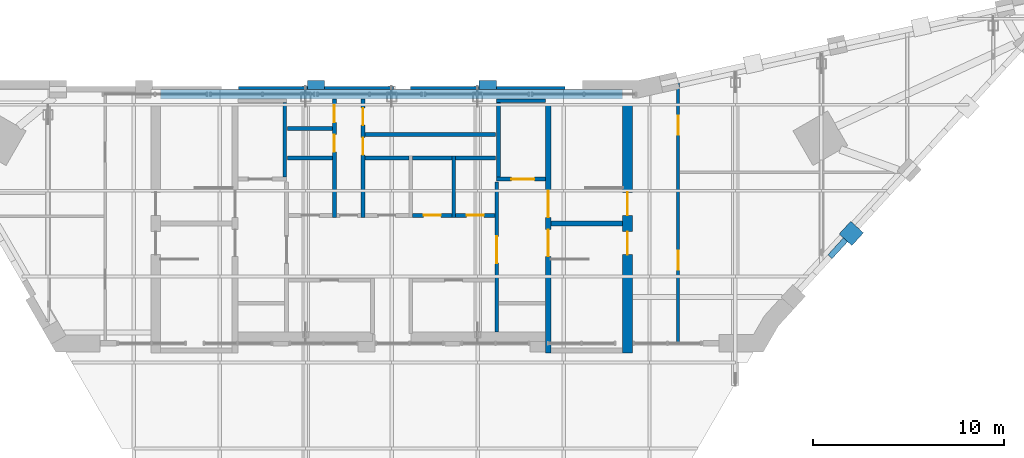
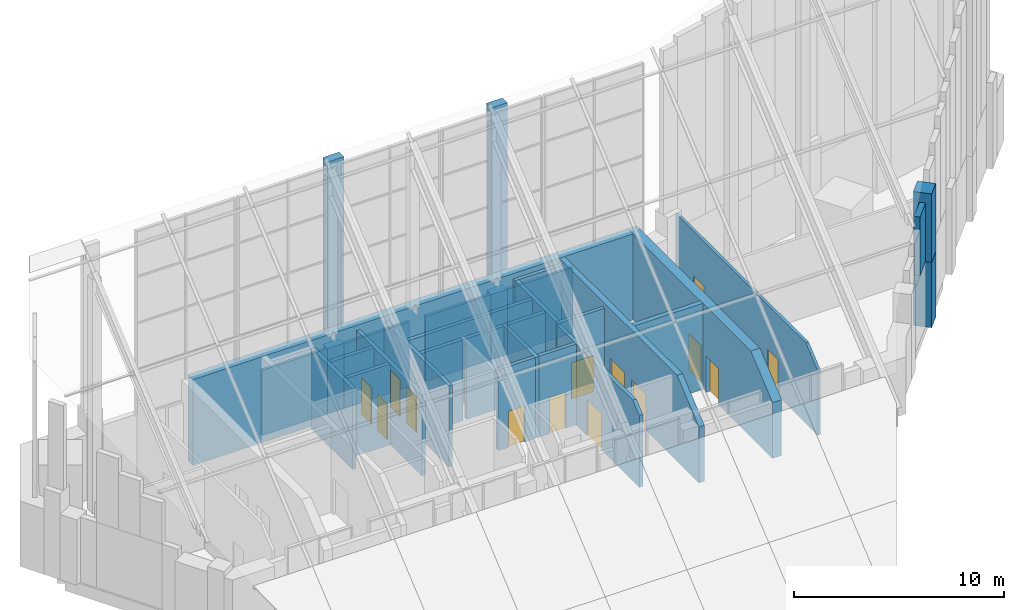
# One storey, part 13 of 19: 32 walls, 14 doors, 14 openings.
"""IFC4 building model written with IfcOpenShell, lengths in metres."""

import ifcopenshell
import ifcopenshell.guid

model = None  # the IFC model being written
_history = None  # IfcOwnerHistory: only IFC2X3 demands one
_inside = {}  # id of a spatial element -> (the spatial element, [elements in it])
_under = {}  # id of a project, library or spatial element -> (it, [spatial elements below it])
_declared = {}  # id of a project -> (the project, [libraries it declares])
_typed = {}  # id of a type object -> (the type object, [elements of that type])
_made_of = {}  # id of a material, layer set ... -> (it, [elements and type objects made of it])


def new_model(schema):
    """Start an empty IFC model of exactly this schema.

    Asked for "IFC4X3", IfcOpenShell would pick the latest addendum, in which some entities
    have other attributes; the version numbers below select the first issue.
    IFC2X3 requires an IfcOwnerHistory on every rooted entity: one is made here for all.
    """
    global model, _history
    if schema == "IFC4X3":
        model = ifcopenshell.file(schema_version=(4, 3, 0, 0))
    else:
        model = ifcopenshell.file(schema=schema)
    _inside.clear()
    _under.clear()
    _declared.clear()
    _typed.clear()
    _made_of.clear()
    _history = None
    if model.schema == "IFC2X3":
        org = make("IfcOrganization", Name="unknown")
        user = make(
            "IfcPersonAndOrganization",
            ThePerson=make("IfcPerson", FamilyName="unknown"),
            TheOrganization=org,
        )
        app = make(
            "IfcApplication",
            ApplicationDeveloper=org,
            Version="unknown",
            ApplicationFullName="unknown",
            ApplicationIdentifier="unknown",
        )
        _history = make(
            "IfcOwnerHistory",
            OwningUser=user,
            OwningApplication=app,
            ChangeAction="ADDED",
            CreationDate=0,
        )
    return model


def make(cls, **values):
    """One entity of the class cls with the attributes given. An attribute that is None is left unset."""
    return model.create_entity(
        cls, **{name: value for name, value in values.items() if value is not None}
    )


def rooted(cls, **values):
    """An entity with a GlobalId (a new one), such as an element, a storey or a relation."""
    return make(cls, GlobalId=ifcopenshell.guid.new(), OwnerHistory=_history, **values)


def si_unit(unit_type, name, prefix=None):
    """IfcSIUnit, for example si_unit("LENGTHUNIT", "METRE", prefix="MILLI")."""
    return make("IfcSIUnit", UnitType=unit_type, Prefix=prefix, Name=name)


def assignment(units):
    """IfcUnitAssignment: the units of a project."""
    return None if units is None else make("IfcUnitAssignment", Units=units)


def point(xyz):
    """IfcCartesianPoint."""
    return None if xyz is None else make("IfcCartesianPoint", Coordinates=xyz)


def direction(xyz):
    """IfcDirection."""
    return None if xyz is None else make("IfcDirection", DirectionRatios=xyz)


def frame(location, z_axis=None, x_axis=None):
    """IfcAxis2Placement3D, a coordinate frame: its origin and axes. An axis left out is left unset."""
    return make(
        "IfcAxis2Placement3D",
        Location=point(location),
        Axis=direction(z_axis),
        RefDirection=direction(x_axis),
    )


def frame_2d(location, x_axis=None):
    """IfcAxis2Placement2D, a coordinate frame in the plane: its origin and x axis."""
    return make(
        "IfcAxis2Placement2D", Location=point(location), RefDirection=direction(x_axis)
    )


def origin():
    """The frame at (0, 0, 0) with its axes left unset."""
    return frame((0.0, 0.0, 0.0))


def place(relative_to, where):
    """IfcLocalPlacement: puts the frame where relative to a parent placement (None: the world)."""
    return make(
        "IfcLocalPlacement", PlacementRelTo=relative_to, RelativePlacement=where
    )


def context(
    kind, dimensions, precision=None, world=None, true_north=None, identifier=None
):
    """IfcGeometricRepresentationContext, for example the 3D "Model" context."""
    return make(
        "IfcGeometricRepresentationContext",
        ContextIdentifier=identifier,
        ContextType=kind,
        CoordinateSpaceDimension=dimensions,
        Precision=precision,
        WorldCoordinateSystem=world,
        TrueNorth=true_north,
    )


def subcontext(parent, identifier, kind, view, scale=None):
    """IfcGeometricRepresentationSubContext, for example "Body" below "Model"."""
    return make(
        "IfcGeometricRepresentationSubContext",
        ContextIdentifier=identifier,
        ContextType=kind,
        ParentContext=parent,
        TargetScale=scale,
        TargetView=view,
    )


def project(units=None, contexts=None):
    """IfcProject with its units and contexts."""
    return rooted(
        "IfcProject",
        Name="project",
        RepresentationContexts=contexts,
        UnitsInContext=assignment(units),
    )


def spatial(cls, under=None, at=None, **own):
    """A site, building, storey or space (cls), placed at a placement, below another one or the project."""
    s = rooted(cls, ObjectPlacement=at, **own)
    if under is not None:
        _under.setdefault(under.id(), (under, []))[1].append(s)
    return s


def polyline(points):
    """IfcPolyline through the points."""
    return make("IfcPolyline", Points=[point(p) for p in points])


def profile(cls, at=None, kind="AREA", **sizes):
    """A parametric profile (cls). Its sizes go by their IFC names, for example OverallWidth=200.0."""
    return make(cls, ProfileType=kind, Position=at, **sizes)


def rectangle(**sizes):
    """IfcRectangleProfileDef."""
    return profile("IfcRectangleProfileDef", **sizes)


def outline(outer, holes=None, kind="AREA"):
    """IfcArbitraryClosedProfileDef: a profile drawn as a closed curve; with holes, ...WithVoids."""
    if holes is None:
        return make("IfcArbitraryClosedProfileDef", ProfileType=kind, OuterCurve=outer)
    return make(
        "IfcArbitraryProfileDefWithVoids",
        ProfileType=kind,
        OuterCurve=outer,
        InnerCurves=holes,
    )


def extrude(swept, where, along, depth):
    """IfcExtrudedAreaSolid: the profile swept, set in the frame where, extruded along a direction by depth."""
    return make(
        "IfcExtrudedAreaSolid",
        SweptArea=swept,
        Position=where,
        ExtrudedDirection=direction(along),
        Depth=depth,
    )


def shape(context_of_items, identifier, shape_type, items):
    """IfcShapeRepresentation: the items that make up one representation, for example the "Body"."""
    return make(
        "IfcShapeRepresentation",
        ContextOfItems=context_of_items,
        RepresentationIdentifier=identifier,
        RepresentationType=shape_type,
        Items=items,
    )


def material(Name=None, Category=None):
    """IfcMaterial."""
    return make("IfcMaterial", Name=Name, Category=Category)


def layer(
    of_material, thickness, ventilated=None, Name=None, Category=None, Priority=None
):
    """IfcMaterialLayer: one layer of a wall or slab, of a material (None: an air gap)."""
    return make(
        "IfcMaterialLayer",
        Material=of_material,
        LayerThickness=thickness,
        IsVentilated=ventilated,
        Name=Name,
        Category=Category,
        Priority=Priority,
    )


def layer_set(layers, Name=None):
    """IfcMaterialLayerSet."""
    return make("IfcMaterialLayerSet", MaterialLayers=layers, LayerSetName=Name)


def made_of(thing, what):
    """Note that an element or type object is made of a material, layer set ...; save() writes the relation."""
    if what is not None:
        _made_of.setdefault(what.id(), (what, []))[1].append(thing)
    return thing


def type_object(cls, material=None, **own):
    """A type object (cls), such as IfcWallType, which elements share."""
    return made_of(rooted(cls, **own), material)


def element(
    cls,
    number,
    at=None,
    inside=None,
    cuts=None,
    type_object=None,
    material=None,
    context=None,
    identifier="Body",
    shape_type=None,
    held_by="IfcProductDefinitionShape",
    body=None,
    shapes=None,
    **own,
):
    """One element of the class cls, such as IfcWall. Its Tag is "e" and its number.

    at: its placement. inside: the storey or other place that contains it. cuts: it is an
    opening in that element (IfcRelVoidsElement). A single representation is given by context,
    identifier, shape_type and body (its items); several are given by shapes. held_by: the class
    of the entity that holds the representations. save() writes the other relations.
    """
    e = rooted(cls, Tag="e%d" % number, ObjectPlacement=at, **own)
    if body is not None:
        shapes = [shape(context, identifier, shape_type, body)]
    if shapes is not None:
        e.Representation = make(held_by, Representations=shapes)
    if inside is not None:
        _inside.setdefault(inside.id(), (inside, []))[1].append(e)
    if cuts is not None:
        rooted(
            "IfcRelVoidsElement", RelatingBuildingElement=cuts, RelatedOpeningElement=e
        )
    if type_object is not None:
        _typed.setdefault(type_object.id(), (type_object, []))[1].append(e)
    return made_of(e, material)


def fill(opening, filler):
    """IfcRelFillsElement: the door or window that sits in an opening."""
    return rooted(
        "IfcRelFillsElement",
        RelatingOpeningElement=opening,
        RelatedBuildingElement=filler,
    )


def aggregate(whole, parts):
    """IfcRelAggregates: a whole, such as a stair, and the parts it consists of."""
    return rooted("IfcRelAggregates", RelatingObject=whole, RelatedObjects=parts)


def save(model, path):
    """Write the relations noted so far, then the file.

    IfcRelAggregates (storeys below a building ...), IfcRelContainedInSpatialStructure (elements
    in a storey), IfcRelDefinesByType, IfcRelAssociatesMaterial and IfcRelDeclares: one each for
    every whole, place, type object, material and project.
    """
    for whole, parts in _under.values():
        aggregate(whole, parts)
    for where, things in _inside.values():
        rooted(
            "IfcRelContainedInSpatialStructure",
            RelatedElements=things,
            RelatingStructure=where,
        )
    for kind, things in _typed.values():
        rooted("IfcRelDefinesByType", RelatedObjects=things, RelatingType=kind)
    for what, things in _made_of.values():
        rooted("IfcRelAssociatesMaterial", RelatedObjects=things, RelatingMaterial=what)
    for by, libraries in _declared.values():
        rooted("IfcRelDeclares", RelatingContext=by, RelatedDefinitions=libraries)
    model.write(path)


model = new_model("IFC4")

# Units and contexts
model_context = context("Model", 3, precision=1e-05, world=origin(), true_north=direction((0.0, 1.0)))
body_context = subcontext(model_context, "Body", "Model", "MODEL_VIEW")
ifc_project = project(units=[si_unit("LENGTHUNIT", "METRE"), si_unit("AREAUNIT", "SQUARE_METRE"), si_unit("VOLUMEUNIT", "CUBIC_METRE"), si_unit("PLANEANGLEUNIT", "RADIAN"), si_unit("MASSUNIT", "GRAM", prefix="KILO")], contexts=[model_context])

# Site, building, storey
site_placement = place(None, origin())
site = spatial("IfcSite", under=ifc_project, at=site_placement, CompositionType="ELEMENT")
building_placement = place(site_placement, origin())
building = spatial("IfcBuilding", under=site, at=building_placement, Name="Calabash Gate Tower", CompositionType="ELEMENT")
storey_placement = place(building_placement, frame((0.0, 0.0, 335.5)))
storey = spatial("IfcBuildingStorey", under=building, at=storey_placement, Name="L78", CompositionType="ELEMENT", Elevation=335.5)

# Walls
ifc_material_1 = material(Name="Terracotta brick masonry, exposed face", Category="masonry")
ifc_layer_1 = layer(ifc_material_1, 0.89990234375)
ifc_layer_set_1 = layer_set([ifc_layer_1], Name="Brick end wall 900")
wall_type_1 = type_object("IfcWallType", Name="Brick end wall 900", PredefinedType="SOLIDWALL", material=ifc_layer_set_1)
wall_1_placement = place(storey_placement, frame((23.763671875, 11.17333984375, 0.0), z_axis=(0.0, 0.0, 1.0), x_axis=(0.674802966049, 0.737997938352, 0.0)))
element("IfcWall", 1, at=wall_1_placement, inside=storey, type_object=wall_type_1, Name="Brick pier L78 crown3.1", PredefinedType="SOLIDWALL", context=body_context, shape_type="SweptSolid", body=[
    extrude(rectangle(XDim=0.900146484375, YDim=0.89990234375, at=frame_2d((0.4501953125, 0.0))), origin(), (0.0, 0.0, 1.0), 3.800048828125),
])
wall_2_placement = place(storey_placement, origin())
element("IfcWall", 2, at=wall_2_placement, inside=storey, type_object=wall_type_1, Name="Brick pier L78 crown6.1", PredefinedType="SOLIDWALL", context=body_context, shape_type="SweptSolid", body=[
    extrude(outline(polyline([(4.584228515625, 19.50244140625), (4.584228515625, 19.052490234375), (5.484375, 19.052490234375), (5.484375, 19.50244140625), (4.584228515625, 19.50244140625)])), origin(), (0.0, 0.0, 1.0), 3.800048828125),
])
wall_3_placement = place(storey_placement, origin())
element("IfcWall", 3, at=wall_3_placement, inside=storey, type_object=wall_type_1, Name="Brick pier L78 crown6.3", PredefinedType="SOLIDWALL", context=body_context, shape_type="SweptSolid", body=[
    extrude(outline(polyline([(-4.415771484375, 19.50244140625), (-4.415771484375, 19.052490234375), (-3.515625, 19.052490234375), (-3.515625, 19.50244140625), (-4.415771484375, 19.50244140625)])), origin(), (0.0, 0.0, 1.0), 3.800048828125),
])

# Wall, openings, doors
ifc_material_2 = material(Name="Gypsum board on steel studs, mineral wool", Category="steel")
ifc_layer_2 = layer(ifc_material_2, 0.199951171875)
ifc_layer_set_2 = layer_set([ifc_layer_2], Name="Core partition 200 gypsum board")
wall_type_2 = type_object("IfcWallType", Name="Core partition 200 gypsum board", PredefinedType="PARTITIONING", material=ifc_layer_set_2)
wall_4_placement = place(storey_placement, frame((-3.0, 12.3525390625, 0.0), z_axis=(0.0, 0.0, 1.0), x_axis=(0.0, 1.0, 0.0)))
wall_4 = element("IfcWall", 4, at=wall_4_placement, inside=storey, type_object=wall_type_2, Name="Core partition", PredefinedType="PARTITIONING", context=body_context, shape_type="SweptSolid", body=[
    extrude(rectangle(XDim=6.199951171875, YDim=0.199951171875, at=frame_2d((3.10009765625, 0.0))), origin(), (0.0, 0.0, 1.0), 4.699951171875),
])
opening_1_placement = place(wall_4_placement, frame((3.425048828125, 0.0, 0.0)))
opening_1 = element("IfcOpeningElement", 5, at=opening_1_placement, cuts=wall_4, Name="Opening L78-012", PredefinedType="OPENING", context=body_context, shape_type="SweptSolid", body=[
    extrude(rectangle(XDim=0.89990234375, YDim=2.10009765625, at=frame_2d((0.449951171875, 1.050048828125))), frame((0.0, 0.10986328125, 0.0), z_axis=(0.0, -1.0, 0.0), x_axis=(1.0, 0.0, 0.0)), (0.0, 0.0, 1.0), 0.219970703125),
])
opening_2_placement = place(wall_4_placement, frame((4.97509765625, 0.0, 0.0)))
opening_2 = element("IfcOpeningElement", 6, at=opening_2_placement, cuts=wall_4, Name="Opening L78-013", PredefinedType="OPENING", context=body_context, shape_type="SweptSolid", body=[
    extrude(rectangle(XDim=0.89990234375, YDim=2.10009765625, at=frame_2d((0.449951171875, 1.050048828125))), frame((0.0, 0.10986328125, 0.0), z_axis=(0.0, -1.0, 0.0), x_axis=(1.0, 0.0, 0.0)), (0.0, 0.0, 1.0), 0.219970703125),
])
ifc_material_3 = material(Name="Steel fire door set with fire-resisting glazing", Category="steel")
door_type_1 = type_object("IfcDoorType", Name="Fire door D06 900x2100 FD60", OperationType="NOTDEFINED", PredefinedType="DOOR", material=ifc_material_3)
door_1_placement = place(opening_1_placement, origin())
door_1 = element("IfcDoor", 7, at=door_1_placement, inside=storey, type_object=door_type_1, Name="Mechanical Pump Room door", OperationType="SINGLE_SWING_LEFT", OverallHeight=2.10009765625, OverallWidth=0.89990234375, PredefinedType="DOOR", context=body_context, shape_type="SweptSolid", body=[
    extrude(rectangle(XDim=0.89990234375, YDim=2.10009765625, at=frame_2d((0.449951171875, 1.050048828125))), frame((0.0, 0.02490234375, 0.0), z_axis=(0.0, -1.0, 0.0), x_axis=(1.0, 0.0, 0.0)), (0.0, 0.0, 1.0), 0.050048828125),
])
fill(opening_1, door_1)
door_2_placement = place(opening_2_placement, origin())
door_2 = element("IfcDoor", 8, at=door_2_placement, inside=storey, type_object=door_type_1, Name="Heat Exchanger Plant Room door", OperationType="SINGLE_SWING_LEFT", OverallHeight=2.10009765625, OverallWidth=0.89990234375, PredefinedType="DOOR", context=body_context, shape_type="SweptSolid", body=[
    extrude(rectangle(XDim=0.89990234375, YDim=2.10009765625, at=frame_2d((0.449951171875, 1.050048828125))), frame((0.0, 0.02490234375, 0.0), z_axis=(0.0, -1.0, 0.0), x_axis=(1.0, 0.0, 0.0)), (0.0, 0.0, 1.0), 0.050048828125),
])
fill(opening_2, door_2)

wall_5_placement = place(storey_placement, frame((-1.5, 12.3525390625, 0.0), z_axis=(0.0, 0.0, 1.0), x_axis=(0.0, 1.0, 0.0)))
wall_5 = element("IfcWall", 9, at=wall_5_placement, inside=storey, type_object=wall_type_2, Name="Core partition", PredefinedType="PARTITIONING", context=body_context, shape_type="SweptSolid", body=[
    extrude(rectangle(XDim=6.199951171875, YDim=0.199951171875, at=frame_2d((3.10009765625, 0.0))), origin(), (0.0, 0.0, 1.0), 4.699951171875),
])
opening_3_placement = place(wall_5_placement, frame((3.27001953125, 0.0, 0.0)))
opening_3 = element("IfcOpeningElement", 10, at=opening_3_placement, cuts=wall_5, Name="Opening L78-014", PredefinedType="OPENING", context=body_context, shape_type="SweptSolid", body=[
    extrude(rectangle(XDim=0.89990234375, YDim=2.10009765625, at=frame_2d((0.449951171875, 1.050048828125))), frame((0.0, 0.10986328125, 0.0), z_axis=(0.0, -1.0, 0.0), x_axis=(1.0, 0.0, 0.0)), (0.0, 0.0, 1.0), 0.219970703125),
])
opening_4_placement = place(wall_5_placement, frame((4.820068359375, 0.0, 0.0)))
opening_4 = element("IfcOpeningElement", 11, at=opening_4_placement, cuts=wall_5, Name="Opening L78-015", PredefinedType="OPENING", context=body_context, shape_type="SweptSolid", body=[
    extrude(rectangle(XDim=0.89990234375, YDim=2.10009765625, at=frame_2d((0.449951171875, 1.050048828125))), frame((0.0, 0.10986328125, 0.0), z_axis=(0.0, -1.0, 0.0), x_axis=(1.0, 0.0, 0.0)), (0.0, 0.0, 1.0), 0.219970703125),
])
door_3_placement = place(opening_3_placement, origin())
door_3 = element("IfcDoor", 12, at=door_3_placement, inside=storey, type_object=door_type_1, Name="Mechanical Fan Room door", OperationType="SINGLE_SWING_LEFT", OverallHeight=2.10009765625, OverallWidth=0.89990234375, PredefinedType="DOOR", context=body_context, shape_type="SweptSolid", body=[
    extrude(rectangle(XDim=0.89990234375, YDim=2.10009765625, at=frame_2d((0.449951171875, 1.050048828125))), frame((0.0, 0.02490234375, 0.0), z_axis=(0.0, -1.0, 0.0), x_axis=(1.0, 0.0, 0.0)), (0.0, 0.0, 1.0), 0.050048828125),
])
fill(opening_3, door_3)
door_4_placement = place(opening_4_placement, origin())
door_4 = element("IfcDoor", 13, at=door_4_placement, inside=storey, type_object=door_type_1, Name="Plant BMS Room door", OperationType="SINGLE_SWING_LEFT", OverallHeight=2.10009765625, OverallWidth=0.89990234375, PredefinedType="DOOR", context=body_context, shape_type="SweptSolid", body=[
    extrude(rectangle(XDim=0.89990234375, YDim=2.10009765625, at=frame_2d((0.449951171875, 1.050048828125))), frame((0.0, 0.02490234375, 0.0), z_axis=(0.0, -1.0, 0.0), x_axis=(1.0, 0.0, 0.0)), (0.0, 0.0, 1.0), 0.050048828125),
])
fill(opening_4, door_4)

# Wall, opening, door
wall_6_placement = place(storey_placement, frame((1.10009765625, 12.45263671875, 0.0), z_axis=(0.0, 0.0, 1.0), x_axis=(1.0, 0.0, 0.0)))
wall_6 = element("IfcWall", 14, at=wall_6_placement, inside=storey, type_object=wall_type_2, Name="Core partition", PredefinedType="PARTITIONING", context=body_context, shape_type="SweptSolid", body=[
    extrude(rectangle(XDim=2.0498046875, YDim=0.199951171875, at=frame_2d((1.02490234375, 0.0))), origin(), (0.0, 0.0, 1.0), 4.699951171875),
])
opening_5_placement = place(wall_6_placement, frame((0.574951171875, 0.0, 0.0)))
opening_5 = element("IfcOpeningElement", 15, at=opening_5_placement, cuts=wall_6, Name="Opening L78-018", PredefinedType="OPENING", context=body_context, shape_type="SweptSolid", body=[
    extrude(rectangle(XDim=0.89990234375, YDim=2.10009765625, at=frame_2d((0.449951171875, 1.050048828125))), frame((0.0, 0.10986328125, 0.0), z_axis=(0.0, -1.0, 0.0), x_axis=(1.0, 0.0, 0.0)), (0.0, 0.0, 1.0), 0.219970703125),
])
door_5_placement = place(opening_5_placement, origin())
door_5 = element("IfcDoor", 16, at=door_5_placement, inside=storey, type_object=door_type_1, Name="Plant Spares Store door", OperationType="SINGLE_SWING_RIGHT", OverallHeight=2.10009765625, OverallWidth=0.89990234375, PredefinedType="DOOR", context=body_context, shape_type="SweptSolid", body=[
    extrude(rectangle(XDim=0.89990234375, YDim=2.10009765625, at=frame_2d((0.449951171875, 1.050048828125))), frame((0.0, 0.02490234375, 0.0), z_axis=(0.0, -1.0, 0.0), x_axis=(1.0, 0.0, 0.0)), (0.0, 0.0, 1.0), 0.050048828125),
])
fill(opening_5, door_5)

# Wall
wall_7_placement = place(storey_placement, frame((3.25, 12.3525390625, 0.0), z_axis=(0.0, 0.0, 1.0), x_axis=(0.0, 1.0, 0.0)))
element("IfcWall", 17, at=wall_7_placement, inside=storey, type_object=wall_type_2, Name="Core partition", PredefinedType="PARTITIONING", context=body_context, shape_type="SweptSolid", body=[
    extrude(rectangle(XDim=3.199951171875, YDim=0.199951171875, at=frame_2d((1.60009765625, 0.0))), origin(), (0.0, 0.0, 1.0), 4.699951171875),
])

# Wall, opening, door
wall_8_placement = place(storey_placement, frame((3.35009765625, 12.45263671875, 0.0), z_axis=(0.0, 0.0, 1.0), x_axis=(1.0, 0.0, 0.0)))
wall_8 = element("IfcWall", 18, at=wall_8_placement, inside=storey, type_object=wall_type_2, Name="Core partition", PredefinedType="PARTITIONING", context=body_context, shape_type="SweptSolid", body=[
    extrude(rectangle(XDim=2.0498046875, YDim=0.199951171875, at=frame_2d((1.02490234375, 0.0))), origin(), (0.0, 0.0, 1.0), 4.699951171875),
])
opening_6_placement = place(wall_8_placement, frame((0.574951171875, 0.0, 0.0)))
opening_6 = element("IfcOpeningElement", 19, at=opening_6_placement, cuts=wall_8, Name="Opening L78-019", PredefinedType="OPENING", context=body_context, shape_type="SweptSolid", body=[
    extrude(rectangle(XDim=0.89990234375, YDim=2.10009765625, at=frame_2d((0.449951171875, 1.050048828125))), frame((0.0, 0.10986328125, 0.0), z_axis=(0.0, -1.0, 0.0), x_axis=(1.0, 0.0, 0.0)), (0.0, 0.0, 1.0), 0.219970703125),
])
door_6_placement = place(opening_6_placement, origin())
door_6 = element("IfcDoor", 20, at=door_6_placement, inside=storey, type_object=door_type_1, Name="Plant Workshop door", OperationType="SINGLE_SWING_LEFT", OverallHeight=2.10009765625, OverallWidth=0.89990234375, PredefinedType="DOOR", context=body_context, shape_type="SweptSolid", body=[
    extrude(rectangle(XDim=0.89990234375, YDim=2.10009765625, at=frame_2d((0.449951171875, 1.050048828125))), frame((0.0, 0.02490234375, 0.0), z_axis=(0.0, -1.0, 0.0), x_axis=(1.0, 0.0, 0.0)), (0.0, 0.0, 1.0), 0.050048828125),
])
fill(opening_6, door_6)

# Walls
wall_9_placement = place(storey_placement, frame((-1.39990234375, 15.45263671875, 0.0), z_axis=(0.0, 0.0, 1.0), x_axis=(1.0, 0.0, 0.0)))
element("IfcWall", 21, at=wall_9_placement, inside=storey, type_object=wall_type_2, Name="Core partition", PredefinedType="PARTITIONING", context=body_context, shape_type="SweptSolid", body=[
    extrude(rectangle(XDim=2.2998046875, YDim=0.199951171875, at=frame_2d((1.14990234375, 0.0))), origin(), (0.0, 0.0, 1.0), 4.699951171875),
])
wall_10_placement = place(storey_placement, frame((1.10009765625, 15.45263671875, 0.0), z_axis=(0.0, 0.0, 1.0), x_axis=(1.0, 0.0, 0.0)))
element("IfcWall", 22, at=wall_10_placement, inside=storey, type_object=wall_type_2, Name="Core partition", PredefinedType="PARTITIONING", context=body_context, shape_type="SweptSolid", body=[
    extrude(rectangle(XDim=2.0498046875, YDim=0.199951171875, at=frame_2d((1.02490234375, 0.0))), origin(), (0.0, 0.0, 1.0), 4.699951171875),
])
ifc_material_4 = material(Name="Concrete C60/75", Category="concrete")
ifc_layer_3 = layer(ifc_material_4, 0.25)
ifc_layer_set_3 = layer_set([ifc_layer_3], Name="Core wall 250 Concrete C60/75")
wall_type_3 = type_object("IfcWallType", Name="Core wall 250 Concrete C60/75", PredefinedType="SHEAR", material=ifc_layer_set_3)
wall_11_placement = place(storey_placement, frame((8.35009765625, 12.027587890625, 0.0), z_axis=(0.0, 0.0, 1.0), x_axis=(1.0, 0.0, 0.0)))
element("IfcWall", 23, at=wall_11_placement, inside=storey, type_object=wall_type_3, Name="Core wall C-MIDE L78", PredefinedType="SHEAR", context=body_context, shape_type="SweptSolid", body=[
    extrude(rectangle(XDim=3.75, YDim=0.25, at=frame_2d((1.875, 0.0))), origin(), (0.0, 0.0, 1.0), 5.0),
])

# Wall, openings, doors
ifc_material_5 = material(Name="Concrete C60/75", Category="concrete")
ifc_layer_4 = layer(ifc_material_5, 0.300048828125)
ifc_layer_set_4 = layer_set([ifc_layer_4], Name="Core wall 300 Concrete C60/75")
wall_type_4 = type_object("IfcWallType", Name="Core wall 300 Concrete C60/75", PredefinedType="SHEAR", material=ifc_layer_set_4)
wall_12_placement = place(storey_placement, frame((8.199951171875, 5.252685546875, 0.0), z_axis=(0.0, 0.0, 1.0), x_axis=(0.0, 1.0, 0.0)))
wall_12 = element("IfcWall", 24, at=wall_12_placement, inside=storey, type_object=wall_type_4, Name="Core wall C-PARTE L78", PredefinedType="SHEAR", context=body_context, shape_type="SweptSolid", body=[
    extrude(outline(polyline([(0.0, 0.0), (13.2998046875, 0.0), (13.300048828125, 5.0), (2.080810546875, 5.0), (0.0, 3.25390625), (0.0, 0.0)])), frame((0.0, 0.14990234375, 0.0), z_axis=(0.0, -1.0, 0.0), x_axis=(1.0, 0.0, 0.0)), (0.0, 0.0, 1.0), 0.300048828125),
])
opening_7_placement = place(wall_12_placement, frame((7.10009765625, 0.0, 0.0)))
opening_7 = element("IfcOpeningElement", 25, at=opening_7_placement, cuts=wall_12, Name="Opening L78-003", PredefinedType="OPENING", context=body_context, shape_type="SweptSolid", body=[
    extrude(rectangle(XDim=1.39990234375, YDim=2.10009765625, at=frame_2d((0.699951171875, 1.050048828125))), frame((0.0, 0.159912109375, 0.0), z_axis=(0.0, -1.0, 0.0), x_axis=(1.0, 0.0, 0.0)), (0.0, 0.0, 1.0), 0.320068359375),
])
opening_8_placement = place(wall_12_placement, frame((5.050048828125, 0.0, 0.0)))
opening_8 = element("IfcOpeningElement", 26, at=opening_8_placement, cuts=wall_12, Name="Opening L78-004", PredefinedType="OPENING", context=body_context, shape_type="SweptSolid", body=[
    extrude(rectangle(XDim=1.39990234375, YDim=2.10009765625, at=frame_2d((0.699951171875, 1.050048828125))), frame((0.0, 0.159912109375, 0.0), z_axis=(0.0, -1.0, 0.0), x_axis=(1.0, 0.0, 0.0)), (0.0, 0.0, 1.0), 0.320068359375),
])
ifc_material_6 = material(Name="Steel fire door set with fire-resisting glazing", Category="steel")
door_type_2 = type_object("IfcDoorType", Name="Fire door D05 1400x2100 FD90", OperationType="NOTDEFINED", PredefinedType="DOOR", material=ifc_material_6)
door_7_placement = place(opening_7_placement, origin())
door_7 = element("IfcDoor", 27, at=door_7_placement, inside=storey, type_object=door_type_2, Name="Exit stair door ST3", OperationType="SINGLE_SWING_RIGHT", OverallHeight=2.10009765625, OverallWidth=1.39990234375, PredefinedType="DOOR", context=body_context, shape_type="SweptSolid", body=[
    extrude(rectangle(XDim=1.39990234375, YDim=2.10009765625, at=frame_2d((0.699951171875, 1.050048828125))), frame((0.0, 0.02490234375, 0.0), z_axis=(0.0, -1.0, 0.0), x_axis=(1.0, 0.0, 0.0)), (0.0, 0.0, 1.0), 0.050048828125),
])
fill(opening_7, door_7)
door_8_placement = place(opening_8_placement, origin())
door_8 = element("IfcDoor", 28, at=door_8_placement, inside=storey, type_object=door_type_2, Name="Exit stair door ST4", OperationType="SINGLE_SWING_LEFT", OverallHeight=2.10009765625, OverallWidth=1.39990234375, PredefinedType="DOOR", context=body_context, shape_type="SweptSolid", body=[
    extrude(rectangle(XDim=1.39990234375, YDim=2.10009765625, at=frame_2d((0.699951171875, 1.050048828125))), frame((0.0, 0.02490234375, 0.0), z_axis=(0.0, -1.0, 0.0), x_axis=(1.0, 0.0, 0.0)), (0.0, 0.0, 1.0), 0.050048828125),
])
fill(opening_8, door_8)

# Wall
ifc_material_7 = material(Name="Concrete C60/75", Category="concrete")
ifc_layer_5 = layer(ifc_material_7, 0.5)
ifc_layer_set_5 = layer_set([ifc_layer_5], Name="Core wall 500 Concrete C60/75")
wall_type_5 = type_object("IfcWallType", Name="Core wall 500 Concrete C60/75", PredefinedType="SHEAR", material=ifc_layer_set_5)
wall_13_placement = place(storey_placement, frame((-12.10009765625, 18.802490234375, 0.0), z_axis=(0.0, 0.0, 1.0), x_axis=(1.0, 0.0, 0.0)))
element("IfcWall", 29, at=wall_13_placement, inside=storey, type_object=wall_type_5, Name="Core wall C-N L78", PredefinedType="SHEAR", context=body_context, shape_type="SweptSolid", body=[
    extrude(rectangle(XDim=24.2001953125, YDim=0.5, at=frame_2d((12.10009765625, 0.0))), origin(), (0.0, 0.0, 1.0), 5.0),
])

# Wall, openings, doors
wall_14_placement = place(storey_placement, frame((12.35009765625, 5.252685546875, 0.0), z_axis=(0.0, 0.0, 1.0), x_axis=(0.0, 1.0, 0.0)))
wall_14 = element("IfcWall", 30, at=wall_14_placement, inside=storey, type_object=wall_type_5, Name="Core wall C-COLE L78", PredefinedType="SHEAR", context=body_context, shape_type="SweptSolid", body=[
    extrude(outline(polyline([(0.0, 0.0), (13.7998046875, 0.0), (13.800048828125, 5.0), (2.080810546875, 5.0), (0.0, 3.25390625), (0.0, 0.0)])), frame((0.0, 0.25, 0.0), z_axis=(0.0, -1.0, 0.0), x_axis=(1.0, 0.0, 0.0)), (0.0, 0.0, 1.0), 0.5),
])
opening_9_placement = place(wall_14_placement, frame((7.199951171875, 0.0, 0.0)))
opening_9 = element("IfcOpeningElement", 31, at=opening_9_placement, cuts=wall_14, Name="Opening L78-007", PredefinedType="OPENING", context=body_context, shape_type="SweptSolid", body=[
    extrude(rectangle(XDim=1.199951171875, YDim=2.10009765625, at=frame_2d((0.60009765625, 1.050048828125))), frame((0.0, 0.260009765625, 0.0), z_axis=(0.0, -1.0, 0.0), x_axis=(1.0, 0.0, 0.0)), (0.0, 0.0, 1.0), 0.52001953125),
])
opening_10_placement = place(wall_14_placement, frame((5.14990234375, 0.0, 0.0)))
opening_10 = element("IfcOpeningElement", 32, at=opening_10_placement, cuts=wall_14, Name="Opening L78-008", PredefinedType="OPENING", context=body_context, shape_type="SweptSolid", body=[
    extrude(rectangle(XDim=1.199951171875, YDim=2.10009765625, at=frame_2d((0.60009765625, 1.050048828125))), frame((0.0, 0.260009765625, 0.0), z_axis=(0.0, -1.0, 0.0), x_axis=(1.0, 0.0, 0.0)), (0.0, 0.0, 1.0), 0.52001953125),
])
ifc_material_8 = material(Name="Steel fire door set with fire-resisting glazing", Category="steel")
door_type_3 = type_object("IfcDoorType", Name="Fire door D10 1200x2100 FD90", OperationType="NOTDEFINED", PredefinedType="DOOR", material=ifc_material_8)
door_9_placement = place(opening_9_placement, origin())
door_9 = element("IfcDoor", 33, at=door_9_placement, inside=storey, type_object=door_type_3, Name="Exit stair door ST3", OperationType="SINGLE_SWING_RIGHT", OverallHeight=2.10009765625, OverallWidth=1.199951171875, PredefinedType="DOOR", context=body_context, shape_type="SweptSolid", body=[
    extrude(rectangle(XDim=1.199951171875, YDim=2.10009765625, at=frame_2d((0.60009765625, 1.050048828125))), frame((0.0, 0.02490234375, 0.0), z_axis=(0.0, -1.0, 0.0), x_axis=(1.0, 0.0, 0.0)), (0.0, 0.0, 1.0), 0.050048828125),
])
fill(opening_9, door_9)
door_10_placement = place(opening_10_placement, origin())
door_10 = element("IfcDoor", 34, at=door_10_placement, inside=storey, type_object=door_type_3, Name="Exit stair door ST4", OperationType="SINGLE_SWING_LEFT", OverallHeight=2.10009765625, OverallWidth=1.199951171875, PredefinedType="DOOR", context=body_context, shape_type="SweptSolid", body=[
    extrude(rectangle(XDim=1.199951171875, YDim=2.10009765625, at=frame_2d((0.60009765625, 1.050048828125))), frame((0.0, 0.02490234375, 0.0), z_axis=(0.0, -1.0, 0.0), x_axis=(1.0, 0.0, 0.0)), (0.0, 0.0, 1.0), 0.050048828125),
])
fill(opening_10, door_10)

ifc_material_9 = material(Name="Gypsum board on steel studs, mineral wool", Category="steel")
ifc_layer_6 = layer(ifc_material_9, 0.14990234375)
ifc_layer_set_6 = layer_set([ifc_layer_6], Name="Partition 150 gypsum board")
wall_type_6 = type_object("IfcWallType", Name="Partition 150 gypsum board", PredefinedType="PARTITIONING", material=ifc_layer_set_6)
wall_15_placement = place(storey_placement, frame((15.0, 5.834228515625, 0.0), z_axis=(0.0, 0.0, 1.0), x_axis=(0.0, 1.0, 0.0)))
wall_15 = element("IfcWall", 35, at=wall_15_placement, inside=storey, type_object=wall_type_6, Name="Partition", PredefinedType="PARTITIONING", context=body_context, shape_type="SweptSolid", body=[
    extrude(outline(polyline([(0.0, 0.0), (13.55224609375, 0.0), (13.552001953125, 4.699951171875), (1.1416015625, 4.699951171875), (0.0, 3.7421875), (0.0, 0.0)])), frame((0.0, 0.074951171875, 0.0), z_axis=(0.0, -1.0, 0.0), x_axis=(1.0, 0.0, 0.0)), (0.0, 0.0, 1.0), 0.14990234375),
])
opening_11_placement = place(wall_15_placement, frame((10.835693359375, 0.0, 0.0)))
opening_11 = element("IfcOpeningElement", 36, at=opening_11_placement, cuts=wall_15, Name="Opening L78-024", PredefinedType="OPENING", context=body_context, shape_type="SweptSolid", body=[
    extrude(rectangle(XDim=1.0, YDim=2.10009765625, at=frame_2d((0.5, 1.050048828125))), frame((0.0, 0.0849609375, 0.0), z_axis=(0.0, -1.0, 0.0), x_axis=(1.0, 0.0, 0.0)), (0.0, 0.0, 1.0), 0.169921875),
])
opening_12_placement = place(wall_15_placement, frame((3.775146484375, 0.0, 0.0)))
opening_12 = element("IfcOpeningElement", 37, at=opening_12_placement, cuts=wall_15, Name="Opening L78-025", PredefinedType="OPENING", context=body_context, shape_type="SweptSolid", body=[
    extrude(rectangle(XDim=1.0, YDim=2.10009765625, at=frame_2d((0.5, 1.050048828125))), frame((0.0, 0.0849609375, 0.0), z_axis=(0.0, -1.0, 0.0), x_axis=(1.0, 0.0, 0.0)), (0.0, 0.0, 1.0), 0.169921875),
])
ifc_material_10 = material(Name="Steel fire door set with fire-resisting glazing", Category="steel")
door_type_4 = type_object("IfcDoorType", Name="Fire door D11 1000x2100 FD60", OperationType="NOTDEFINED", PredefinedType="DOOR", material=ifc_material_10)
door_11_placement = place(opening_11_placement, origin())
door_11 = element("IfcDoor", 38, at=door_11_placement, inside=storey, type_object=door_type_4, Name="Generator Room door", OperationType="SINGLE_SWING_LEFT", OverallHeight=2.10009765625, OverallWidth=1.0, PredefinedType="DOOR", context=body_context, shape_type="SweptSolid", body=[
    extrude(rectangle(XDim=1.0, YDim=2.10009765625, at=frame_2d((0.5, 1.050048828125))), frame((0.0, 0.02490234375, 0.0), z_axis=(0.0, -1.0, 0.0), x_axis=(1.0, 0.0, 0.0)), (0.0, 0.0, 1.0), 0.050048828125),
])
fill(opening_11, door_11)
door_12_placement = place(opening_12_placement, origin())
door_12 = element("IfcDoor", 39, at=door_12_placement, inside=storey, type_object=door_type_4, Name="Window Cleaning Plant Room door", OperationType="SINGLE_SWING_RIGHT", OverallHeight=2.10009765625, OverallWidth=1.0, PredefinedType="DOOR", context=body_context, shape_type="SweptSolid", body=[
    extrude(rectangle(XDim=1.0, YDim=2.10009765625, at=frame_2d((0.5, 1.050048828125))), frame((0.0, 0.02490234375, 0.0), z_axis=(0.0, -1.0, 0.0), x_axis=(1.0, 0.0, 0.0)), (0.0, 0.0, 1.0), 0.050048828125),
])
fill(opening_12, door_12)

# Wall, opening, door
ifc_material_11 = material(Name="Concrete C40/50", Category="concrete")
ifc_layer_7 = layer(ifc_material_11, 0.199951171875)
ifc_layer_set_7 = layer_set([ifc_layer_7], Name="Shaft wall 200 Concrete C40/50")
wall_type_7 = type_object("IfcWallType", Name="Shaft wall 200 Concrete C40/50", PredefinedType="SOLIDWALL", material=ifc_layer_set_7)
wall_16_placement = place(storey_placement, frame((5.5, 6.3525390625, 0.0), z_axis=(0.0, 0.0, 1.0), x_axis=(0.0, 1.0, 0.0)))
wall_16 = element("IfcWall", 40, at=wall_16_placement, inside=storey, type_object=wall_type_7, Name="Shaft wall", PredefinedType="SOLIDWALL", context=body_context, shape_type="SweptSolid", body=[
    extrude(outline(polyline([(0.0, 0.0), (7.85009765625, 0.0), (7.85009765625, 4.699951171875), (0.623291015625, 4.699951171875), (0.0, 4.177001953125), (0.0, 0.0)])), frame((0.0, 0.10009765625, 0.0), z_axis=(0.0, -1.0, 0.0), x_axis=(1.0, 0.0, 0.0)), (0.0, 0.0, 1.0), 0.199951171875),
])
opening_13_placement = place(wall_16_placement, frame((3.60009765625, 0.0, 0.0)))
opening_13 = element("IfcOpeningElement", 41, at=opening_13_placement, cuts=wall_16, Name="Opening L78-011", PredefinedType="OPENING", context=body_context, shape_type="SweptSolid", body=[
    extrude(rectangle(XDim=1.39990234375, YDim=2.10009765625, at=frame_2d((0.699951171875, 1.050048828125))), frame((0.0, 0.10986328125, 0.0), z_axis=(0.0, -1.0, 0.0), x_axis=(1.0, 0.0, 0.0)), (0.0, 0.0, 1.0), 0.219970703125),
])
door_13_placement = place(opening_13_placement, origin())
door_13 = element("IfcDoor", 42, at=door_13_placement, inside=storey, type_object=door_type_2, Name="Firefighting Lobby E door", OperationType="SINGLE_SWING_LEFT", OverallHeight=2.10009765625, OverallWidth=1.39990234375, PredefinedType="DOOR", context=body_context, shape_type="SweptSolid", body=[
    extrude(rectangle(XDim=1.39990234375, YDim=2.10009765625, at=frame_2d((0.699951171875, 1.050048828125))), frame((0.0, 0.02490234375, 0.0), z_axis=(0.0, -1.0, 0.0), x_axis=(1.0, 0.0, 0.0)), (0.0, 0.0, 1.0), 0.050048828125),
])
fill(opening_13, door_13)

wall_17_placement = place(storey_placement, frame((5.5, 14.3525390625, 0.0), z_axis=(0.0, 0.0, 1.0), x_axis=(1.0, 0.0, 0.0)))
wall_17 = element("IfcWall", 43, at=wall_17_placement, inside=storey, type_object=wall_type_7, Name="Shaft wall", PredefinedType="SOLIDWALL", context=body_context, shape_type="SweptSolid", body=[
    extrude(rectangle(XDim=2.550048828125, YDim=0.199951171875, at=frame_2d((1.27490234375, 0.0))), origin(), (0.0, 0.0, 1.0), 4.699951171875),
])
opening_14_placement = place(wall_17_placement, frame((0.77490234375, 0.0, 0.0)))
opening_14 = element("IfcOpeningElement", 44, at=opening_14_placement, cuts=wall_17, Name="Opening LD-FF2", PredefinedType="OPENING", context=body_context, shape_type="SweptSolid", body=[
    extrude(rectangle(XDim=1.199951171875, YDim=2.10009765625, at=frame_2d((0.60009765625, 1.050048828125))), frame((0.0, 0.10986328125, 0.0), z_axis=(0.0, -1.0, 0.0), x_axis=(1.0, 0.0, 0.0)), (0.0, 0.0, 1.0), 0.219970703125),
])
ifc_material_12 = material(Name="Stainless steel sliding door leaves", Category="steel")
door_type_5 = type_object("IfcDoorType", Name="Lift landing door LS3 1200x2100 FD90", OperationType="DOUBLE_DOOR_SLIDING", PredefinedType="DOOR", material=ifc_material_12)
door_14_placement = place(opening_14_placement, origin())
door_14 = element("IfcDoor", 45, at=door_14_placement, inside=storey, type_object=door_type_5, Name="Lift landing door FF2", OperationType="DOUBLE_DOOR_SLIDING", OverallHeight=2.10009765625, OverallWidth=1.199951171875, PredefinedType="DOOR", context=body_context, shape_type="SweptSolid", body=[
    extrude(rectangle(XDim=1.199951171875, YDim=2.10009765625, at=frame_2d((0.60009765625, 1.050048828125))), frame((0.0, 0.02490234375, 0.0), z_axis=(0.0, -1.0, 0.0), x_axis=(1.0, 0.0, 0.0)), (0.0, 0.0, 1.0), 0.050048828125),
])
fill(opening_14, door_14)

# Walls
for number, where, z_axis, x_axis, name in (
    (46, (-5.60009765625, 14.45263671875, 0.0), (0.0, 0.0, 1.0), (0.0, 1.0, 0.0), "Shaft wall"),
    (47, (5.60009765625, 14.45263671875, 0.0), (0.0, 0.0, 1.0), (0.0, 1.0, 0.0), "Shaft wall"),
):
    element("IfcWall", number, at=place(storey_placement, frame(where, z_axis=z_axis, x_axis=x_axis)), inside=storey, type_object=wall_type_7, Name=name, PredefinedType="SOLIDWALL", context=body_context, shape_type="SweptSolid", body=[
        extrude(rectangle(XDim=3.89990234375, YDim=0.199951171875, at=frame_2d((1.949951171875, 0.0))), origin(), (0.0, 0.0, 1.0), 4.699951171875),
    ])
wall_18_placement = place(storey_placement, frame((-5.449951171875, 15.45263671875, 0.0), z_axis=(0.0, 0.0, 1.0), x_axis=(1.0, 0.0, 0.0)))
element("IfcWall", 48, at=wall_18_placement, inside=storey, type_object=wall_type_7, Name="Shaft wall", PredefinedType="SOLIDWALL", context=body_context, shape_type="SweptSolid", body=[
    extrude(rectangle(XDim=2.349853515625, YDim=0.199951171875, at=frame_2d((1.1748046875, 0.0))), origin(), (0.0, 0.0, 1.0), 4.699951171875),
])
wall_19_placement = place(storey_placement, frame((3.35009765625, 15.45263671875, 0.0), z_axis=(0.0, 0.0, 1.0), x_axis=(1.0, 0.0, 0.0)))
element("IfcWall", 49, at=wall_19_placement, inside=storey, type_object=wall_type_7, Name="Shaft wall", PredefinedType="SOLIDWALL", context=body_context, shape_type="SweptSolid", body=[
    extrude(rectangle(XDim=2.099853515625, YDim=0.199951171875, at=frame_2d((1.0498046875, 0.0))), origin(), (0.0, 0.0, 1.0), 4.699951171875),
])
wall_20_placement = place(storey_placement, frame((-1.39990234375, 16.692626953125, 0.0), z_axis=(0.0, 0.0, 1.0), x_axis=(1.0, 0.0, 0.0)))
element("IfcWall", 50, at=wall_20_placement, inside=storey, type_object=wall_type_7, Name="Shaft wall", PredefinedType="SOLIDWALL", context=body_context, shape_type="SweptSolid", body=[
    extrude(rectangle(XDim=6.849853515625, YDim=0.199951171875, at=frame_2d((3.4248046875, 0.0))), origin(), (0.0, 0.0, 1.0), 4.699951171875),
])
wall_21_placement = place(storey_placement, frame((-5.449951171875, 17.002685546875, 0.0), z_axis=(0.0, 0.0, 1.0), x_axis=(1.0, 0.0, 0.0)))
element("IfcWall", 51, at=wall_21_placement, inside=storey, type_object=wall_type_7, Name="Shaft wall", PredefinedType="SOLIDWALL", context=body_context, shape_type="SweptSolid", body=[
    extrude(rectangle(XDim=2.349853515625, YDim=0.199951171875, at=frame_2d((1.1748046875, 0.0))), origin(), (0.0, 0.0, 1.0), 4.699951171875),
])
wall_22_placement = place(storey_placement, frame((5.5, 18.45263671875, 0.0), z_axis=(0.0, 0.0, 1.0), x_axis=(1.0, 0.0, 0.0)))
element("IfcWall", 52, at=wall_22_placement, inside=storey, type_object=wall_type_7, Name="Shaft wall", PredefinedType="SOLIDWALL", context=body_context, shape_type="SweptSolid", body=[
    extrude(rectangle(XDim=2.550048828125, YDim=0.199951171875, at=frame_2d((1.27490234375, 0.0))), origin(), (0.0, 0.0, 1.0), 4.699951171875),
])
ifc_material_13 = material(Name="Terracotta louvre blades in an aluminium frame", Category="masonry")
ifc_layer_8 = layer(ifc_material_13, 0.300048828125)
ifc_layer_set_8 = layer_set([ifc_layer_8], Name="Terracotta louvre wall 300")
wall_type_8 = type_object("IfcWallType", Name="Terracotta louvre wall 300", PredefinedType="ELEMENTEDWALL", material=ifc_layer_set_8)
wall_23_placement = place(storey_placement, origin())
element("IfcWall", 53, at=wall_23_placement, inside=storey, type_object=wall_type_8, Name="LOUVRE L78 crown6.1", PredefinedType="ELEMENTEDWALL", context=body_context, shape_type="SweptSolid", body=[
    extrude(outline(polyline([(9.084228515625, 19.20263671875), (5.484375, 19.20263671875), (5.484375, 19.052490234375), (9.084228515625, 19.052490234375), (9.084228515625, 19.20263671875)])), origin(), (0.0, 0.0, 1.0), 3.800048828125),
])
wall_24_placement = place(storey_placement, origin())
element("IfcWall", 54, at=wall_24_placement, inside=storey, type_object=wall_type_8, Name="LOUVRE L78 crown6.2", PredefinedType="ELEMENTEDWALL", context=body_context, shape_type="SweptSolid", body=[
    extrude(outline(polyline([(4.584228515625, 19.20263671875), (0.984375, 19.20263671875), (0.984375, 19.052490234375), (4.584228515625, 19.052490234375), (4.584228515625, 19.20263671875)])), origin(), (0.0, 0.0, 1.0), 3.800048828125),
])
wall_25_placement = place(storey_placement, origin())
element("IfcWall", 55, at=wall_25_placement, inside=storey, type_object=wall_type_8, Name="LOUVRE L78 crown6.3", PredefinedType="ELEMENTEDWALL", context=body_context, shape_type="SweptSolid", body=[
    extrude(outline(polyline([(0.084228515625, 19.20263671875), (-3.515625, 19.20263671875), (-3.515625, 19.052490234375), (0.084228515625, 19.052490234375), (0.084228515625, 19.20263671875)])), origin(), (0.0, 0.0, 1.0), 3.800048828125),
])
wall_26_placement = place(storey_placement, origin())
element("IfcWall", 56, at=wall_26_placement, inside=storey, type_object=wall_type_8, Name="LOUVRE L78 crown6.4", PredefinedType="ELEMENTEDWALL", context=body_context, shape_type="SweptSolid", body=[
    extrude(outline(polyline([(-4.415771484375, 19.20263671875), (-8.015625, 19.20263671875), (-8.015625, 19.052490234375), (-4.415771484375, 19.052490234375), (-4.415771484375, 19.20263671875)])), origin(), (0.0, 0.0, 1.0), 3.800048828125),
])
wall_27_placement = place(storey_placement, frame((23.763671875, 11.17333984375, 3.800048828125), z_axis=(0.0, 0.0, 1.0), x_axis=(0.674802966049, 0.737997938352, 0.0)))
element("IfcWall", 57, at=wall_27_placement, inside=storey, type_object=wall_type_8, Name="LOUVRE L78 crown upper 3.1", PredefinedType="ELEMENTEDWALL", context=body_context, shape_type="SweptSolid", body=[
    extrude(rectangle(XDim=0.900146484375, YDim=0.89990234375, at=frame_2d((0.4501953125, 0.0))), origin(), (0.0, 0.0, 1.0), 3.985107421875),
])
wall_28_placement = place(storey_placement, frame((22.954345703125, 10.288330078125, 3.800048828125), z_axis=(0.0, 0.0, 1.0), x_axis=(0.674848398596, 0.737956393639, 0.0)))
element("IfcWall", 58, at=wall_28_placement, inside=storey, type_object=wall_type_8, Name="LOUVRE L78 crown upper 5.3", PredefinedType="ELEMENTEDWALL", context=body_context, shape_type="SweptSolid", body=[
    extrude(rectangle(XDim=1.19921875, YDim=0.300048828125, at=frame_2d((0.599609375, 0.0))), origin(), (0.0, 0.0, 1.0), 3.412353515625),
])
for number, where, z_axis, x_axis, name in (
    (59, (4.584228515625, 19.277587890625, 3.800048828125), (0.0, 0.0, 1.0), (1.0, 0.0, 0.0), "LOUVRE L78 crown upper 15.1"),
    (60, (-4.415771484375, 19.277587890625, 3.800048828125), (0.0, 0.0, 1.0), (1.0, 0.0, 0.0), "LOUVRE L78 crown upper 16.1"),
):
    element("IfcWall", number, at=place(storey_placement, frame(where, z_axis=z_axis, x_axis=x_axis)), inside=storey, type_object=wall_type_8, Name=name, PredefinedType="ELEMENTEDWALL", context=body_context, shape_type="SweptSolid", body=[
        extrude(rectangle(XDim=0.900146484375, YDim=0.449951171875, at=frame_2d((0.4501953125, 0.0))), origin(), (0.0, 0.0, 1.0), 10.851318359375),
    ])

save(model, "model.ifc")
